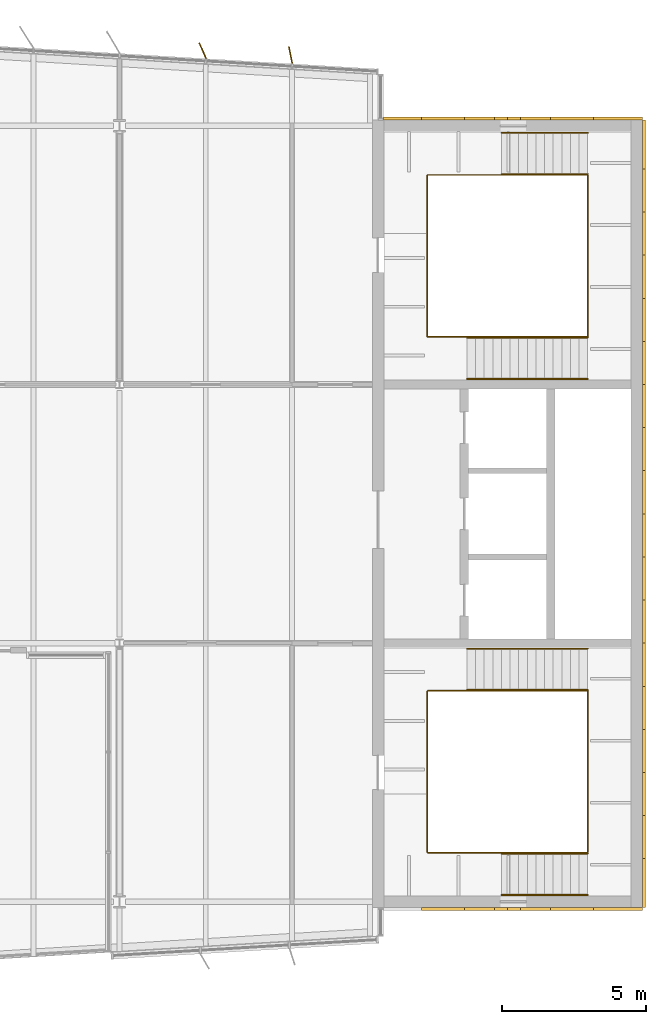
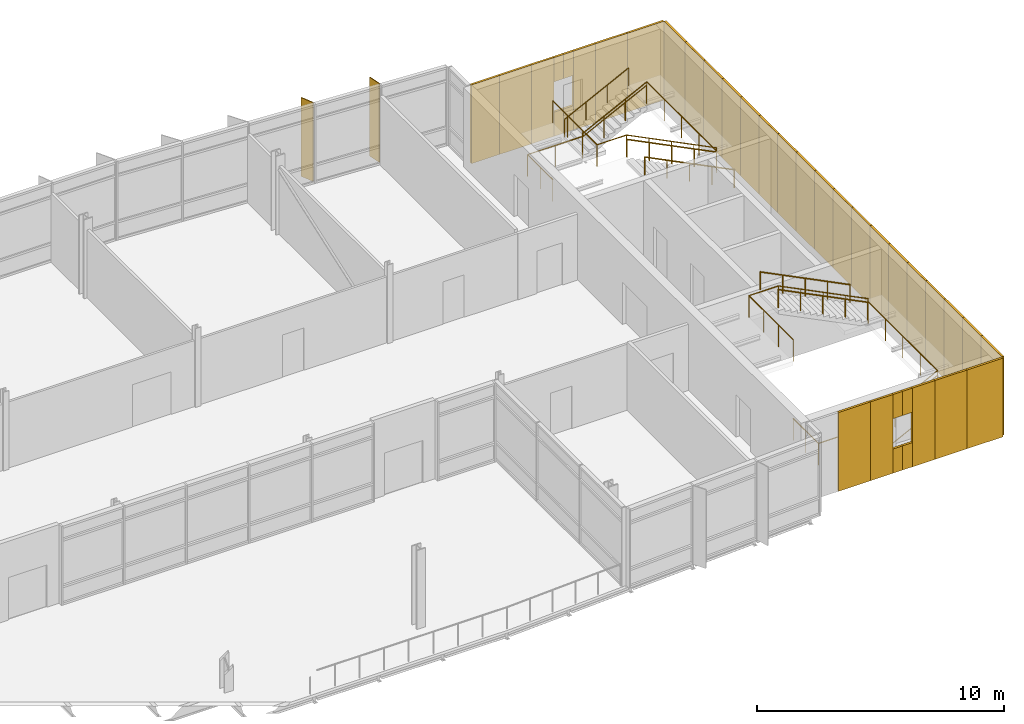
# One storey, part 18 of 19: 37 coverings, 10 railings, 2 shading devices.
"""IFC4 building model written with IfcOpenShell, lengths in metres."""

from ifc_helpers import new_model, si_unit, direction, frame, origin, origin_2d, place, context, subcontext, project, spatial, rectangle, circle, extrude, material, layer, layer_set, type_object, element, save


model = new_model("IFC4")

# Units and contexts
model_context = context("Model", 3, precision=1e-05, world=origin(), true_north=direction((0.0, 1.0)))
body_context = subcontext(model_context, "Body", "Model", "MODEL_VIEW")
ifc_project = project(units=[si_unit("LENGTHUNIT", "METRE"), si_unit("AREAUNIT", "SQUARE_METRE"), si_unit("VOLUMEUNIT", "CUBIC_METRE"), si_unit("PLANEANGLEUNIT", "RADIAN"), si_unit("MASSUNIT", "GRAM", prefix="KILO")], contexts=[model_context])

# Site, building, storey
site_placement = place(None, origin())
site = spatial("IfcSite", under=ifc_project, at=site_placement, CompositionType="ELEMENT")
building_placement = place(site_placement, origin())
building = spatial("IfcBuilding", under=site, at=building_placement, Name="Azimuth Sports and Learning Centre", CompositionType="ELEMENT")
storey_placement = place(building_placement, frame((0.0, 0.0, 67.5)))
storey = spatial("IfcBuildingStorey", under=building, at=storey_placement, Name="L15", CompositionType="ELEMENT", Elevation=67.5)

# Coverings
ifc_material_1 = material(Name="Cladding panel")
ifc_layer_1 = layer(ifc_material_1, 0.10009765625)
ifc_layer_set_1 = layer_set([ifc_layer_1], Name="Cladding panel")
covering_type = type_object("IfcCoveringType", Name="Cladding panel 100", PredefinedType="CLADDING", material=ifc_layer_set_1)
covering_1_placement = place(storey_placement, frame((110.25, 89.75, 0.0), z_axis=(0.0, 0.0, 1.0), x_axis=(1.0, 0.0, 0.0)))
element("IfcCovering", 1, at=covering_1_placement, inside=storey, type_object=covering_type, Name="Cladding panel S-CORE E L15 2", PredefinedType="CLADDING", context=body_context, shape_type="SweptSolid", body=[
    extrude(rectangle(XDim=1.5, YDim=0.10009765625, at=origin_2d()), origin(), (0.0, 0.0, 1.0), 3.89990234375),
])
covering_2_placement = place(storey_placement, frame((111.52490234375, 89.75, 0.0), z_axis=(0.0, 0.0, 1.0), x_axis=(1.0, 0.0, 0.0)))
element("IfcCovering", 2, at=covering_2_placement, inside=storey, type_object=covering_type, Name="Cladding panel S-CORE E L15 3", PredefinedType="CLADDING", context=body_context, shape_type="SweptSolid", body=[
    extrude(rectangle(XDim=1.050048828125, YDim=0.10009765625, at=origin_2d()), origin(), (0.0, 0.0, 1.0), 3.89990234375),
])
for number, where, z_axis, x_axis, name in (
    (3, (112.27490234375, 89.75, 0.0), (0.0, 0.0, 1.0), (1.0, 0.0, 0.0), "Cladding panel S-CORE E L15 4"),
    (4, (112.27490234375, 89.75, 2.7001953125), (0.0, 0.0, 1.0), (1.0, 0.0, 0.0), "Cladding panel S-CORE E L15 5"),
):
    element("IfcCovering", number, at=place(storey_placement, frame(where, z_axis=z_axis, x_axis=x_axis)), inside=storey, type_object=covering_type, Name=name, PredefinedType="CLADDING", context=body_context, shape_type="SweptSolid", body=[
        extrude(rectangle(XDim=0.449951171875, YDim=0.10009765625, at=origin_2d()), origin(), (0.0, 0.0, 1.0), 1.199951171875),
    ])
covering_3_placement = place(storey_placement, frame((113.47509765625, 89.75, 0.0), z_axis=(0.0, 0.0, 1.0), x_axis=(1.0, 0.0, 0.0)))
element("IfcCovering", 5, at=covering_3_placement, inside=storey, type_object=covering_type, Name="Cladding panel S-CORE E L15 6", PredefinedType="CLADDING", context=body_context, shape_type="SweptSolid", body=[
    extrude(rectangle(XDim=1.050048828125, YDim=0.10009765625, at=origin_2d()), origin(), (0.0, 0.0, 1.0), 3.89990234375),
])
for number, where, z_axis, x_axis, name in (
    (6, (112.72509765625, 89.75, 0.0), (0.0, 0.0, 1.0), (1.0, 0.0, 0.0), "Cladding panel S-CORE E L15 7"),
    (7, (112.72509765625, 89.75, 2.7001953125), (0.0, 0.0, 1.0), (1.0, 0.0, 0.0), "Cladding panel S-CORE E L15 8"),
):
    element("IfcCovering", number, at=place(storey_placement, frame(where, z_axis=z_axis, x_axis=x_axis)), inside=storey, type_object=covering_type, Name=name, PredefinedType="CLADDING", context=body_context, shape_type="SweptSolid", body=[
        extrude(rectangle(XDim=0.449951171875, YDim=0.10009765625, at=origin_2d()), origin(), (0.0, 0.0, 1.0), 1.199951171875),
    ])
covering_4_placement = place(storey_placement, frame((114.75, 89.75, 0.0), z_axis=(0.0, 0.0, 1.0), x_axis=(1.0, 0.0, 0.0)))
element("IfcCovering", 8, at=covering_4_placement, inside=storey, type_object=covering_type, Name="Cladding panel S-CORE E L15 9", PredefinedType="CLADDING", context=body_context, shape_type="SweptSolid", body=[
    extrude(rectangle(XDim=1.5, YDim=0.10009765625, at=origin_2d()), origin(), (0.0, 0.0, 1.0), 3.89990234375),
])
for number, where, z_axis, x_axis, name in (
    (9, (116.35009765625, 89.75, 0.0), (0.0, 0.0, 1.0), (1.0, 0.0, 0.0), "Cladding panel S-CORE E L15 10"),
    (10, (117.25, 90.64990234375, 0.0), (0.0, 0.0, 1.0), (0.0, 1.0, 0.0), "Cladding panel E-CORE E L15 1"),
):
    element("IfcCovering", number, at=place(storey_placement, frame(where, z_axis=z_axis, x_axis=x_axis)), inside=storey, type_object=covering_type, Name=name, PredefinedType="CLADDING", context=body_context, shape_type="SweptSolid", body=[
        extrude(rectangle(XDim=1.699951171875, YDim=0.10009765625, at=origin_2d()), origin(), (0.0, 0.0, 1.0), 3.89990234375),
    ])
for number, where, z_axis, x_axis, name in (
    (11, (117.25, 92.25, 0.0), (0.0, 0.0, 1.0), (0.0, 1.0, 0.0), "Cladding panel E-CORE E L15 2"),
    (12, (117.25, 93.75, 0.0), (0.0, 0.0, 1.0), (0.0, 1.0, 0.0), "Cladding panel E-CORE E L15 3"),
    (13, (117.25, 95.25, 0.0), (0.0, 0.0, 1.0), (0.0, 1.0, 0.0), "Cladding panel E-CORE E L15 4"),
    (14, (117.25, 96.75, 0.0), (0.0, 0.0, 1.0), (0.0, 1.0, 0.0), "Cladding panel E-CORE E L15 5"),
    (15, (117.25, 98.25, 0.0), (0.0, 0.0, 1.0), (0.0, 1.0, 0.0), "Cladding panel E-CORE E L15 6"),
    (16, (117.25, 99.75, 0.0), (0.0, 0.0, 1.0), (0.0, 1.0, 0.0), "Cladding panel E-CORE E L15 7"),
    (17, (117.25, 101.25, 0.0), (0.0, 0.0, 1.0), (0.0, 1.0, 0.0), "Cladding panel E-CORE E L15 8"),
    (18, (117.25, 102.75, 0.0), (0.0, 0.0, 1.0), (0.0, 1.0, 0.0), "Cladding panel E-CORE E L15 9"),
    (19, (117.25, 104.25, 0.0), (0.0, 0.0, 1.0), (0.0, 1.0, 0.0), "Cladding panel E-CORE E L15 10"),
    (20, (117.25, 105.75, 0.0), (0.0, 0.0, 1.0), (0.0, 1.0, 0.0), "Cladding panel E-CORE E L15 11"),
    (21, (117.25, 107.25, 0.0), (0.0, 0.0, 1.0), (0.0, 1.0, 0.0), "Cladding panel E-CORE E L15 12"),
    (22, (117.25, 108.75, 0.0), (0.0, 0.0, 1.0), (0.0, 1.0, 0.0), "Cladding panel E-CORE E L15 13"),
    (23, (117.25, 110.25, 0.0), (0.0, 0.0, 1.0), (0.0, 1.0, 0.0), "Cladding panel E-CORE E L15 14"),
    (24, (117.25, 111.75, 0.0), (0.0, 0.0, 1.0), (0.0, 1.0, 0.0), "Cladding panel E-CORE E L15 15"),
    (25, (117.25, 113.25, 0.0), (0.0, 0.0, 1.0), (0.0, 1.0, 0.0), "Cladding panel E-CORE E L15 16"),
    (26, (117.25, 114.75, 0.0), (0.0, 0.0, 1.0), (0.0, 1.0, 0.0), "Cladding panel E-CORE E L15 17"),
):
    element("IfcCovering", number, at=place(storey_placement, frame(where, z_axis=z_axis, x_axis=x_axis)), inside=storey, type_object=covering_type, Name=name, PredefinedType="CLADDING", context=body_context, shape_type="SweptSolid", body=[
        extrude(rectangle(XDim=1.5, YDim=0.10009765625, at=origin_2d()), origin(), (0.0, 0.0, 1.0), 3.89990234375),
    ])
for number, where, z_axis, x_axis, name in (
    (27, (117.25, 116.35009765625, 0.0), (0.0, 0.0, 1.0), (0.0, 1.0, 0.0), "Cladding panel E-CORE E L15 18"),
    (28, (116.35009765625, 117.25, 0.0), (0.0, 0.0, 1.0), (-1.0, 0.0, 0.0), "Cladding panel N-CORE E L15 1"),
):
    element("IfcCovering", number, at=place(storey_placement, frame(where, z_axis=z_axis, x_axis=x_axis)), inside=storey, type_object=covering_type, Name=name, PredefinedType="CLADDING", context=body_context, shape_type="SweptSolid", body=[
        extrude(rectangle(XDim=1.699951171875, YDim=0.10009765625, at=origin_2d()), origin(), (0.0, 0.0, 1.0), 3.89990234375),
    ])
covering_5_placement = place(storey_placement, frame((114.75, 117.25, 0.0), z_axis=(0.0, 0.0, 1.0), x_axis=(-1.0, 0.0, 0.0)))
element("IfcCovering", 29, at=covering_5_placement, inside=storey, type_object=covering_type, Name="Cladding panel N-CORE E L15 2", PredefinedType="CLADDING", context=body_context, shape_type="SweptSolid", body=[
    extrude(rectangle(XDim=1.5, YDim=0.10009765625, at=origin_2d()), origin(), (0.0, 0.0, 1.0), 3.89990234375),
])
covering_6_placement = place(storey_placement, frame((113.47509765625, 117.25, 0.0), z_axis=(0.0, 0.0, 1.0), x_axis=(-1.0, 0.0, 0.0)))
element("IfcCovering", 30, at=covering_6_placement, inside=storey, type_object=covering_type, Name="Cladding panel N-CORE E L15 3", PredefinedType="CLADDING", context=body_context, shape_type="SweptSolid", body=[
    extrude(rectangle(XDim=1.050048828125, YDim=0.10009765625, at=origin_2d()), origin(), (0.0, 0.0, 1.0), 3.89990234375),
])
for number, where, z_axis, x_axis, name in (
    (31, (112.72509765625, 117.25, 0.0), (0.0, 0.0, 1.0), (-1.0, 0.0, 0.0), "Cladding panel N-CORE E L15 4"),
    (32, (112.72509765625, 117.25, 2.7001953125), (0.0, 0.0, 1.0), (-1.0, 0.0, 0.0), "Cladding panel N-CORE E L15 5"),
):
    element("IfcCovering", number, at=place(storey_placement, frame(where, z_axis=z_axis, x_axis=x_axis)), inside=storey, type_object=covering_type, Name=name, PredefinedType="CLADDING", context=body_context, shape_type="SweptSolid", body=[
        extrude(rectangle(XDim=0.449951171875, YDim=0.10009765625, at=origin_2d()), origin(), (0.0, 0.0, 1.0), 1.199951171875),
    ])
covering_7_placement = place(storey_placement, frame((111.52490234375, 117.25, 0.0), z_axis=(0.0, 0.0, 1.0), x_axis=(-1.0, 0.0, 0.0)))
element("IfcCovering", 33, at=covering_7_placement, inside=storey, type_object=covering_type, Name="Cladding panel N-CORE E L15 6", PredefinedType="CLADDING", context=body_context, shape_type="SweptSolid", body=[
    extrude(rectangle(XDim=1.050048828125, YDim=0.10009765625, at=origin_2d()), origin(), (0.0, 0.0, 1.0), 3.89990234375),
])
for number, where, z_axis, x_axis, name in (
    (34, (112.27490234375, 117.25, 0.0), (0.0, 0.0, 1.0), (-1.0, 0.0, 0.0), "Cladding panel N-CORE E L15 7"),
    (35, (112.27490234375, 117.25, 2.7001953125), (0.0, 0.0, 1.0), (-1.0, 0.0, 0.0), "Cladding panel N-CORE E L15 8"),
):
    element("IfcCovering", number, at=place(storey_placement, frame(where, z_axis=z_axis, x_axis=x_axis)), inside=storey, type_object=covering_type, Name=name, PredefinedType="CLADDING", context=body_context, shape_type="SweptSolid", body=[
        extrude(rectangle(XDim=0.449951171875, YDim=0.10009765625, at=origin_2d()), origin(), (0.0, 0.0, 1.0), 1.199951171875),
    ])
covering_8_placement = place(storey_placement, frame((110.25, 117.25, 0.0), z_axis=(0.0, 0.0, 1.0), x_axis=(-1.0, 0.0, 0.0)))
element("IfcCovering", 36, at=covering_8_placement, inside=storey, type_object=covering_type, Name="Cladding panel N-CORE E L15 9", PredefinedType="CLADDING", context=body_context, shape_type="SweptSolid", body=[
    extrude(rectangle(XDim=1.5, YDim=0.10009765625, at=origin_2d()), origin(), (0.0, 0.0, 1.0), 3.89990234375),
])
covering_9_placement = place(storey_placement, frame((108.840087890625, 117.25, 0.0), z_axis=(0.0, 0.0, 1.0), x_axis=(-1.0, 0.0, 0.0)))
element("IfcCovering", 37, at=covering_9_placement, inside=storey, type_object=covering_type, Name="Cladding panel N-CORE E L15 10", PredefinedType="CLADDING", context=body_context, shape_type="SweptSolid", body=[
    extrude(rectangle(XDim=1.320068359375, YDim=0.10009765625, at=origin_2d()), origin(), (0.0, 0.0, 1.0), 3.89990234375),
])

# Shading devices
ifc_material_2 = material(Name="Aluminium", Category="aluminium")
ifc_layer_2 = layer(ifc_material_2, 0.0400390625)
ifc_layer_set_2 = layer_set([ifc_layer_2], Name="Aluminium")
shading_device_type = type_object("IfcShadingDeviceType", Name="Shading fin 600", PredefinedType="JALOUSIE", material=ifc_layer_set_2)
for number, where, z_axis, x_axis, name in (
    (38, (104.952392578125, 119.453857421875, 0.0), (0.0, 0.0, 1.0), (-0.19438682666, 0.980924952084, 0.0), "Shading fin F15-006"),
    (39, (101.89208984375, 119.615234375, 0.0), (0.0, 0.0, 1.0), (-0.395859673937, 0.918311014064, 0.0), "Shading fin F15-007"),
):
    element("IfcShadingDevice", number, at=place(storey_placement, frame(where, z_axis=z_axis, x_axis=x_axis)), inside=storey, type_object=shading_device_type, Name=name, PredefinedType="JALOUSIE", context=body_context, shape_type="SweptSolid", body=[
        extrude(rectangle(XDim=0.60009765625, YDim=0.0400390625, at=origin_2d()), origin(), (0.0, 0.0, 1.0), 3.89990234375),
    ])

# Railings
ifc_material_3 = material(Name="Stainless steel", Category="steel")
railing_type_1 = type_object("IfcRailingType", Name="Stair guard 1100", PredefinedType="GUARDRAIL", material=ifc_material_3)
railing_1_placement = place(storey_placement, frame((109.7099609375, 93.75, 0.0)))
element("IfcRailing", 40, at=railing_1_placement, inside=storey, type_object=railing_type_1, Name="Guard E1 L15 well", PredefinedType="GUARDRAIL", context=body_context, shape_type="SweptSolid", body=[
    extrude(circle(Radius=0.02392578125, at=origin_2d()), frame((0.0, 0.0, 1.076171875), z_axis=(0.0, -1.0, 0.0), x_axis=(1.0, 0.0, 0.0)), (0.0, 0.0, 1.0), 2.0400390625),
    extrude(circle(Radius=0.02392578125, at=origin_2d()), frame((0.0, -2.0400390625, 1.076171875), z_axis=(1.0, 0.0, 0.0), x_axis=(0.0, 1.0, 0.0)), (0.0, 0.0, 1.0), 2.580078125),
    extrude(circle(Radius=0.02392578125, at=origin_2d()), frame((2.580078125, -2.0400390625, 1.076171875), z_axis=(0.0, 0.0, 1.0), x_axis=(1.0, 0.0, 0.0)), (0.0, 0.0, 1.0), 0.14990234375),
    extrude(circle(Radius=0.02392578125, at=origin_2d()), frame((2.580078125, -2.0400390625, 1.22607421875), z_axis=(0.894427191, 0.0, 0.4472135955), x_axis=(0.0, 1.0, 0.0)), (0.0, 0.0, 1.0), 3.35400390625),
    extrude(circle(Radius=0.02392578125, at=origin_2d()), frame((5.580078125, -2.0400390625, 2.72607421875), z_axis=(0.0, 1.0, 0.0), x_axis=(-1.0, 0.0, 0.0)), (0.0, 0.0, 1.0), 5.630126953125),
    extrude(circle(Radius=0.02392578125, at=origin_2d()), frame((5.580078125, 3.590087890625, 2.72607421875), z_axis=(0.0, 0.0, 1.0), x_axis=(1.0, 0.0, 0.0)), (0.0, 0.0, 1.0), 0.150146484375),
    extrude(circle(Radius=0.02392578125, at=origin_2d()), frame((5.580078125, 3.590087890625, 2.8759765625), z_axis=(-0.894437589381, 0.0, 0.447192798132), x_axis=(0.0, -1.0, 0.0)), (0.0, 0.0, 1.0), 4.695556640625),
    extrude(circle(Radius=0.02392578125, at=origin_2d()), frame((1.380126953125, 3.590087890625, 4.97607421875), z_axis=(-1.0, 0.0, 0.0), x_axis=(0.0, -1.0, 0.0)), (0.0, 0.0, 1.0), 1.380126953125),
    extrude(circle(Radius=0.02392578125, at=origin_2d()), frame((0.0, 3.590087890625, 4.97607421875), z_axis=(0.0, -1.0, 0.0), x_axis=(1.0, 0.0, 0.0)), (0.0, 0.0, 1.0), 3.590087890625),
    extrude(circle(Radius=0.01611328125, at=origin_2d()), origin(), (0.0, 0.0, 1.0), 1.052001953125),
    extrude(circle(Radius=0.01611328125, at=origin_2d()), frame((0.0, -1.02001953125, 0.0)), (0.0, 0.0, 1.0), 1.052001953125),
    extrude(circle(Radius=0.01611328125, at=origin_2d()), frame((0.0, -2.0400390625, 0.0)), (0.0, 0.0, 1.0), 1.052001953125),
    extrude(circle(Radius=0.01611328125, at=origin_2d()), frame((1.2900390625, -2.0400390625, 0.0)), (0.0, 0.0, 1.0), 1.052001953125),
    extrude(circle(Radius=0.01611328125, at=origin_2d()), frame((2.580078125, -2.0400390625, 0.0)), (0.0, 0.0, 1.0), 1.052001953125),
    extrude(circle(Radius=0.01611328125, at=origin_2d()), frame((2.580078125, -2.0400390625, 0.14990234375)), (0.0, 0.0, 1.0), 1.052001953125),
    extrude(circle(Radius=0.01611328125, at=origin_2d()), frame((3.580078125, -2.0400390625, 0.64990234375)), (0.0, 0.0, 1.0), 1.052001953125),
    extrude(circle(Radius=0.01611328125, at=origin_2d()), frame((4.580078125, -2.0400390625, 1.14990234375)), (0.0, 0.0, 1.0), 1.052001953125),
    extrude(circle(Radius=0.01611328125, at=origin_2d()), frame((5.580078125, -2.0400390625, 1.64990234375)), (0.0, 0.0, 1.0), 1.052001953125),
    extrude(circle(Radius=0.01611328125, at=origin_2d()), frame((5.580078125, -0.632568359375, 1.64990234375)), (0.0, 0.0, 1.0), 1.052001953125),
    extrude(circle(Radius=0.01611328125, at=origin_2d()), frame((5.580078125, 0.77490234375, 1.64990234375)), (0.0, 0.0, 1.0), 1.052001953125),
    extrude(circle(Radius=0.01611328125, at=origin_2d()), frame((5.580078125, 2.1826171875, 1.64990234375)), (0.0, 0.0, 1.0), 1.052001953125),
    extrude(circle(Radius=0.01611328125, at=origin_2d()), frame((5.580078125, 3.590087890625, 1.64990234375)), (0.0, 0.0, 1.0), 1.052001953125),
    extrude(circle(Radius=0.01611328125, at=origin_2d()), frame((5.580078125, 3.590087890625, 1.800048828125)), (0.0, 0.0, 1.0), 1.052001953125),
    extrude(circle(Radius=0.01611328125, at=origin_2d()), frame((4.530029296875, 3.590087890625, 2.324951171875)), (0.0, 0.0, 1.0), 1.052001953125),
    extrude(circle(Radius=0.01611328125, at=origin_2d()), frame((3.47998046875, 3.590087890625, 2.85009765625)), (0.0, 0.0, 1.0), 1.052001953125),
    extrude(circle(Radius=0.01611328125, at=origin_2d()), frame((2.43017578125, 3.590087890625, 3.375)), (0.0, 0.0, 1.0), 1.052001953125),
    extrude(circle(Radius=0.01611328125, at=origin_2d()), frame((1.380126953125, 3.590087890625, 3.89990234375)), (0.0, 0.0, 1.0), 1.052001953125),
    extrude(circle(Radius=0.01611328125, at=origin_2d()), frame((0.0, 3.590087890625, 3.89990234375)), (0.0, 0.0, 1.0), 1.052001953125),
    extrude(circle(Radius=0.01611328125, at=origin_2d()), frame((0.0, 2.393310546875, 3.89990234375)), (0.0, 0.0, 1.0), 1.052001953125),
    extrude(circle(Radius=0.01611328125, at=origin_2d()), frame((0.0, 1.19677734375, 3.89990234375)), (0.0, 0.0, 1.0), 1.052001953125),
    extrude(circle(Radius=0.01611328125, at=origin_2d()), frame((0.0, 0.0, 3.89990234375)), (0.0, 0.0, 1.0), 1.052001953125),
])
railing_2_placement = place(storey_placement, frame((109.7099609375, 113.25, 0.0)))
element("IfcRailing", 41, at=railing_2_placement, inside=storey, type_object=railing_type_1, Name="Guard E2 L15 well", PredefinedType="GUARDRAIL", context=body_context, shape_type="SweptSolid", body=[
    extrude(circle(Radius=0.02392578125, at=origin_2d()), frame((0.0, 0.0, 1.076171875), z_axis=(0.0, 1.0, 0.0), x_axis=(-1.0, 0.0, 0.0)), (0.0, 0.0, 1.0), 2.0400390625),
    extrude(circle(Radius=0.02392578125, at=origin_2d()), frame((0.0, 2.0400390625, 1.076171875), z_axis=(1.0, 0.0, 0.0), x_axis=(0.0, 1.0, 0.0)), (0.0, 0.0, 1.0), 2.580078125),
    extrude(circle(Radius=0.02392578125, at=origin_2d()), frame((2.580078125, 2.0400390625, 1.076171875), z_axis=(0.0, 0.0, 1.0), x_axis=(1.0, 0.0, 0.0)), (0.0, 0.0, 1.0), 0.14990234375),
    extrude(circle(Radius=0.02392578125, at=origin_2d()), frame((2.580078125, 2.0400390625, 1.22607421875), z_axis=(0.894427191, 0.0, 0.4472135955), x_axis=(0.0, 1.0, 0.0)), (0.0, 0.0, 1.0), 3.35400390625),
    extrude(circle(Radius=0.02392578125, at=origin_2d()), frame((5.580078125, 2.0400390625, 2.72607421875), z_axis=(0.0, -1.0, 0.0), x_axis=(1.0, 0.0, 0.0)), (0.0, 0.0, 1.0), 5.630126953125),
    extrude(circle(Radius=0.02392578125, at=origin_2d()), frame((5.580078125, -3.590087890625, 2.72607421875), z_axis=(0.0, 0.0, 1.0), x_axis=(1.0, 0.0, 0.0)), (0.0, 0.0, 1.0), 0.150146484375),
    extrude(circle(Radius=0.02392578125, at=origin_2d()), frame((5.580078125, -3.590087890625, 2.8759765625), z_axis=(-0.894437589381, 0.0, 0.447192798132), x_axis=(0.0, -1.0, 0.0)), (0.0, 0.0, 1.0), 4.695556640625),
    extrude(circle(Radius=0.02392578125, at=origin_2d()), frame((1.380126953125, -3.590087890625, 4.97607421875), z_axis=(-1.0, 0.0, 0.0), x_axis=(0.0, -1.0, 0.0)), (0.0, 0.0, 1.0), 1.380126953125),
    extrude(circle(Radius=0.02392578125, at=origin_2d()), frame((0.0, -3.590087890625, 4.97607421875), z_axis=(0.0, 1.0, 0.0), x_axis=(-1.0, 0.0, 0.0)), (0.0, 0.0, 1.0), 3.590087890625),
    extrude(circle(Radius=0.01611328125, at=origin_2d()), origin(), (0.0, 0.0, 1.0), 1.052001953125),
    extrude(circle(Radius=0.01611328125, at=origin_2d()), frame((0.0, 1.02001953125, 0.0)), (0.0, 0.0, 1.0), 1.052001953125),
    extrude(circle(Radius=0.01611328125, at=origin_2d()), frame((0.0, 2.0400390625, 0.0)), (0.0, 0.0, 1.0), 1.052001953125),
    extrude(circle(Radius=0.01611328125, at=origin_2d()), frame((1.2900390625, 2.0400390625, 0.0)), (0.0, 0.0, 1.0), 1.052001953125),
    extrude(circle(Radius=0.01611328125, at=origin_2d()), frame((2.580078125, 2.0400390625, 0.0)), (0.0, 0.0, 1.0), 1.052001953125),
    extrude(circle(Radius=0.01611328125, at=origin_2d()), frame((2.580078125, 2.0400390625, 0.14990234375)), (0.0, 0.0, 1.0), 1.052001953125),
    extrude(circle(Radius=0.01611328125, at=origin_2d()), frame((3.580078125, 2.0400390625, 0.64990234375)), (0.0, 0.0, 1.0), 1.052001953125),
    extrude(circle(Radius=0.01611328125, at=origin_2d()), frame((4.580078125, 2.0400390625, 1.14990234375)), (0.0, 0.0, 1.0), 1.052001953125),
    extrude(circle(Radius=0.01611328125, at=origin_2d()), frame((5.580078125, 2.0400390625, 1.64990234375)), (0.0, 0.0, 1.0), 1.052001953125),
    extrude(circle(Radius=0.01611328125, at=origin_2d()), frame((5.580078125, 0.632568359375, 1.64990234375)), (0.0, 0.0, 1.0), 1.052001953125),
    extrude(circle(Radius=0.01611328125, at=origin_2d()), frame((5.580078125, -0.77490234375, 1.64990234375)), (0.0, 0.0, 1.0), 1.052001953125),
    extrude(circle(Radius=0.01611328125, at=origin_2d()), frame((5.580078125, -2.1826171875, 1.64990234375)), (0.0, 0.0, 1.0), 1.052001953125),
    extrude(circle(Radius=0.01611328125, at=origin_2d()), frame((5.580078125, -3.590087890625, 1.64990234375)), (0.0, 0.0, 1.0), 1.052001953125),
    extrude(circle(Radius=0.01611328125, at=origin_2d()), frame((5.580078125, -3.590087890625, 1.800048828125)), (0.0, 0.0, 1.0), 1.052001953125),
    extrude(circle(Radius=0.01611328125, at=origin_2d()), frame((4.530029296875, -3.590087890625, 2.324951171875)), (0.0, 0.0, 1.0), 1.052001953125),
    extrude(circle(Radius=0.01611328125, at=origin_2d()), frame((3.47998046875, -3.590087890625, 2.85009765625)), (0.0, 0.0, 1.0), 1.052001953125),
    extrude(circle(Radius=0.01611328125, at=origin_2d()), frame((2.43017578125, -3.590087890625, 3.375)), (0.0, 0.0, 1.0), 1.052001953125),
    extrude(circle(Radius=0.01611328125, at=origin_2d()), frame((1.380126953125, -3.590087890625, 3.89990234375)), (0.0, 0.0, 1.0), 1.052001953125),
    extrude(circle(Radius=0.01611328125, at=origin_2d()), frame((0.0, -3.590087890625, 3.89990234375)), (0.0, 0.0, 1.0), 1.052001953125),
    extrude(circle(Radius=0.01611328125, at=origin_2d()), frame((0.0, -2.393310546875, 3.89990234375)), (0.0, 0.0, 1.0), 1.052001953125),
    extrude(circle(Radius=0.01611328125, at=origin_2d()), frame((0.0, -1.19677734375, 3.89990234375)), (0.0, 0.0, 1.0), 1.052001953125),
    extrude(circle(Radius=0.01611328125, at=origin_2d()), frame((0.0, 0.0, 3.89990234375)), (0.0, 0.0, 1.0), 1.052001953125),
])
ifc_material_4 = material(Name="Stainless steel", Category="steel")
railing_type_2 = type_object("IfcRailingType", Name="Stair handrail 42", PredefinedType="HANDRAIL", material=ifc_material_4)
for number, where, name in (
    (42, (112.2900390625, 91.679931640625, 0.14990234375), "Handrail E1 L15 flight 1 inner"),
    (43, (112.2900390625, 90.239990234375, 0.14990234375), "Handrail E1 L15 flight 1 outer"),
):
    element("IfcRailing", number, at=place(storey_placement, frame(where)), inside=storey, type_object=railing_type_2, Name=name, PredefinedType="HANDRAIL", context=body_context, shape_type="SweptSolid", body=[
        extrude(circle(Radius=0.02099609375, at=origin_2d()), frame((0.0, 0.0, 0.87890625), z_axis=(0.894427191, 0.0, 0.4472135955), x_axis=(0.0, 1.0, 0.0)), (0.0, 0.0, 1.0), 3.35400390625),
        extrude(circle(Radius=0.01611328125, at=origin_2d()), origin(), (0.0, 0.0, 1.0), 0.85791015625),
        extrude(circle(Radius=0.01611328125, at=origin_2d()), frame((1.0, 0.0, 0.5)), (0.0, 0.0, 1.0), 0.85791015625),
        extrude(circle(Radius=0.01611328125, at=origin_2d()), frame((2.0, 0.0, 1.0)), (0.0, 0.0, 1.0), 0.85791015625),
        extrude(circle(Radius=0.01611328125, at=origin_2d()), frame((3.0, 0.0, 1.5)), (0.0, 0.0, 1.0), 0.85791015625),
    ])
for number, where, name in (
    (44, (115.2900390625, 97.3701171875, 1.800048828125), "Handrail E1 L15 flight 2 inner"),
    (45, (115.2900390625, 98.81005859375, 1.800048828125), "Handrail E1 L15 flight 2 outer"),
):
    element("IfcRailing", number, at=place(storey_placement, frame(where)), inside=storey, type_object=railing_type_2, Name=name, PredefinedType="HANDRAIL", context=body_context, shape_type="SweptSolid", body=[
        extrude(circle(Radius=0.02099609375, at=origin_2d()), frame((0.0, 0.0, 0.87890625), z_axis=(-0.894437589381, 0.0, 0.447192798132), x_axis=(0.0, -1.0, 0.0)), (0.0, 0.0, 1.0), 4.695556640625),
        extrude(circle(Radius=0.01611328125, at=origin_2d()), origin(), (0.0, 0.0, 1.0), 0.85791015625),
        extrude(circle(Radius=0.01611328125, at=origin_2d()), frame((-1.050048828125, 0.0, 0.52490234375)), (0.0, 0.0, 1.0), 0.85791015625),
        extrude(circle(Radius=0.01611328125, at=origin_2d()), frame((-2.10009765625, 0.0, 1.0498046875)), (0.0, 0.0, 1.0), 0.85791015625),
        extrude(circle(Radius=0.01611328125, at=origin_2d()), frame((-3.14990234375, 0.0, 1.574951171875)), (0.0, 0.0, 1.0), 0.85791015625),
        extrude(circle(Radius=0.01611328125, at=origin_2d()), frame((-4.199951171875, 0.0, 2.099853515625)), (0.0, 0.0, 1.0), 0.85791015625),
    ])
for number, where, name in (
    (46, (112.2900390625, 115.320068359375, 0.14990234375), "Handrail E2 L15 flight 1 inner"),
    (47, (112.2900390625, 116.760009765625, 0.14990234375), "Handrail E2 L15 flight 1 outer"),
):
    element("IfcRailing", number, at=place(storey_placement, frame(where)), inside=storey, type_object=railing_type_2, Name=name, PredefinedType="HANDRAIL", context=body_context, shape_type="SweptSolid", body=[
        extrude(circle(Radius=0.02099609375, at=origin_2d()), frame((0.0, 0.0, 0.87890625), z_axis=(0.894427191, 0.0, 0.4472135955), x_axis=(0.0, 1.0, 0.0)), (0.0, 0.0, 1.0), 3.35400390625),
        extrude(circle(Radius=0.01611328125, at=origin_2d()), origin(), (0.0, 0.0, 1.0), 0.85791015625),
        extrude(circle(Radius=0.01611328125, at=origin_2d()), frame((1.0, 0.0, 0.5)), (0.0, 0.0, 1.0), 0.85791015625),
        extrude(circle(Radius=0.01611328125, at=origin_2d()), frame((2.0, 0.0, 1.0)), (0.0, 0.0, 1.0), 0.85791015625),
        extrude(circle(Radius=0.01611328125, at=origin_2d()), frame((3.0, 0.0, 1.5)), (0.0, 0.0, 1.0), 0.85791015625),
    ])
for number, where, name in (
    (48, (115.2900390625, 109.6298828125, 1.800048828125), "Handrail E2 L15 flight 2 inner"),
    (49, (115.2900390625, 108.18994140625, 1.800048828125), "Handrail E2 L15 flight 2 outer"),
):
    element("IfcRailing", number, at=place(storey_placement, frame(where)), inside=storey, type_object=railing_type_2, Name=name, PredefinedType="HANDRAIL", context=body_context, shape_type="SweptSolid", body=[
        extrude(circle(Radius=0.02099609375, at=origin_2d()), frame((0.0, 0.0, 0.87890625), z_axis=(-0.894437589381, 0.0, 0.447192798132), x_axis=(0.0, -1.0, 0.0)), (0.0, 0.0, 1.0), 4.695556640625),
        extrude(circle(Radius=0.01611328125, at=origin_2d()), origin(), (0.0, 0.0, 1.0), 0.85791015625),
        extrude(circle(Radius=0.01611328125, at=origin_2d()), frame((-1.050048828125, 0.0, 0.52490234375)), (0.0, 0.0, 1.0), 0.85791015625),
        extrude(circle(Radius=0.01611328125, at=origin_2d()), frame((-2.10009765625, 0.0, 1.0498046875)), (0.0, 0.0, 1.0), 0.85791015625),
        extrude(circle(Radius=0.01611328125, at=origin_2d()), frame((-3.14990234375, 0.0, 1.574951171875)), (0.0, 0.0, 1.0), 0.85791015625),
        extrude(circle(Radius=0.01611328125, at=origin_2d()), frame((-4.199951171875, 0.0, 2.099853515625)), (0.0, 0.0, 1.0), 0.85791015625),
    ])

save(model, "model.ifc")
